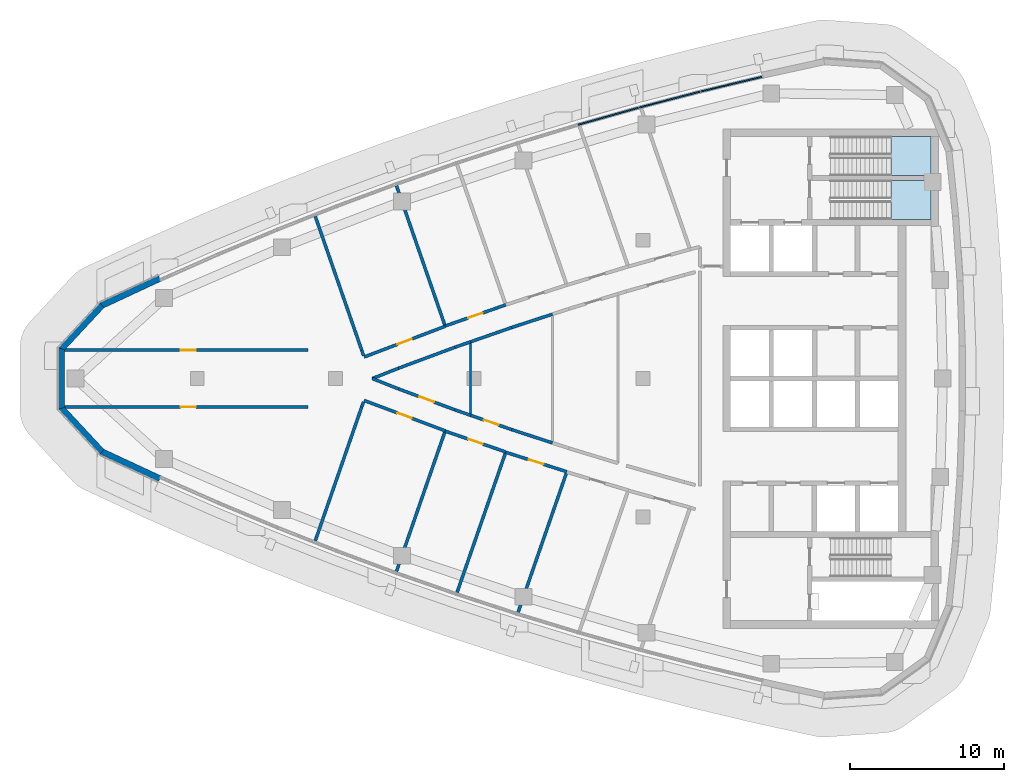
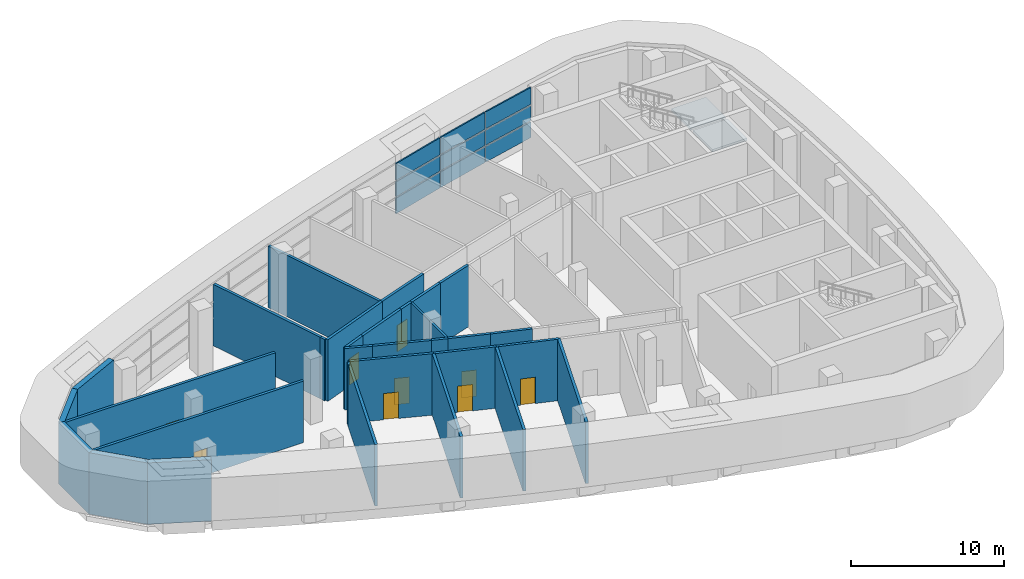
# One storey, part 7 of 14: 31 walls, 9 doors, 9 plates, 2 slabs, 9 openings, 4 elements without a shape of their own.
"""IFC4 building model written with IfcOpenShell, lengths in metres."""

from ifc_helpers import new_model, si_unit, direction, frame, frame_2d, origin, origin_2d, place, context, subcontext, project, spatial, polyline, rectangle, outline, extrude, material, layer, layer_set, type_object, element, fill, aggregate, save


model = new_model("IFC4")

# Units and contexts
model_context = context("Model", 3, precision=1e-05, world=origin(), true_north=direction((0.0, 1.0)))
body_context = subcontext(model_context, "Body", "Model", "MODEL_VIEW")
ifc_project = project(units=[si_unit("LENGTHUNIT", "METRE"), si_unit("AREAUNIT", "SQUARE_METRE"), si_unit("VOLUMEUNIT", "CUBIC_METRE"), si_unit("PLANEANGLEUNIT", "RADIAN"), si_unit("MASSUNIT", "GRAM", prefix="KILO")], contexts=[model_context])

# Site, building, storey
site_placement = place(None, origin())
site = spatial("IfcSite", under=ifc_project, at=site_placement, CompositionType="ELEMENT")
building_placement = place(site_placement, origin())
building = spatial("IfcBuilding", under=site, at=building_placement, Name="Ostrand Prow Hotel Tower", CompositionType="ELEMENT")
storey_placement = place(building_placement, frame((0.0, 0.0, 303.39990234375)))
storey = spatial("IfcBuildingStorey", under=building, at=storey_placement, Name="L77", CompositionType="ELEMENT", Elevation=303.39990234375)

# Curtain wall, plates
ifc_material_1 = material(Name="Insulated glass in bronze anodised frame", Category="glass")
ifc_layer_1 = layer(ifc_material_1, 0.199951171875)
ifc_layer_set_1 = layer_set([ifc_layer_1], Name="Insulated glass in bronze anodised frame")
curtain_wall_type = type_object("IfcCurtainWallType", Name="Plant storey louvre wall", PredefinedType="NOTDEFINED", material=ifc_layer_set_1)
curtain_wall_1_placement = place(storey_placement, origin())
curtain_wall_1 = element("IfcCurtainWall", 1, at=curtain_wall_1_placement, inside=storey, type_object=curtain_wall_type, Name="CW7 run CWN1", PredefinedType="NOTDEFINED")
ifc_material_2 = material(Name="Bronze anodised aluminium louvre", Category="aluminium")
ifc_layer_2 = layer(ifc_material_2, 0.10009765625)
ifc_layer_set_2 = layer_set([ifc_layer_2], Name="Bronze anodised aluminium louvre")
plate_type = type_object("IfcPlateType", Name="Bronze louvre panel 100 mm", PredefinedType="CURTAIN_PANEL", material=ifc_layer_set_2)
plate_1_placement = place(storey_placement, frame((50.74755859375, 19.152587890625, 0.89990234375), z_axis=(0.0, 0.0, 1.0), x_axis=(-0.972537533869, -0.232746096028, 0.0)))
plate_1 = element("IfcPlate", 2, at=plate_1_placement, type_object=plate_type, Name="CW7 PN-V panel 1.1", PredefinedType="CURTAIN_PANEL", context=body_context, shape_type="SweptSolid", body=[
    extrude(rectangle(XDim=4.079833984375, YDim=0.10009765625, at=origin_2d()), origin(), (0.0, 0.0, 1.0), 1.239990234375),
])
plate_2_placement = place(storey_placement, frame((50.74755859375, 19.152587890625, 2.26025390625), z_axis=(0.0, 0.0, 1.0), x_axis=(-0.972537533869, -0.232746096028, 0.0)))
plate_2 = element("IfcPlate", 3, at=plate_2_placement, type_object=plate_type, Name="CW7 PN-V panel 1.2", PredefinedType="CURTAIN_PANEL", context=body_context, shape_type="SweptSolid", body=[
    extrude(rectangle(XDim=4.079833984375, YDim=0.10009765625, at=origin_2d()), origin(), (0.0, 0.0, 1.0), 1.179931640625),
])
plate_3_placement = place(storey_placement, frame((50.74755859375, 19.152587890625, 3.56005859375), z_axis=(0.0, 0.0, 1.0), x_axis=(-0.972537533869, -0.232746096028, 0.0)))
plate_3 = element("IfcPlate", 4, at=plate_3_placement, type_object=plate_type, Name="CW7 PN-V panel 1.3", PredefinedType="CURTAIN_PANEL", context=body_context, shape_type="SweptSolid", body=[
    extrude(rectangle(XDim=4.079833984375, YDim=0.10009765625, at=origin_2d()), origin(), (0.0, 0.0, 1.0), 1.340087890625),
])
plate_4_placement = place(storey_placement, frame((46.731689453125, 18.148681640625, 0.89990234375), z_axis=(0.0, 0.0, 1.0), x_axis=(-0.967662519855, -0.252248384867, 0.0)))
plate_4 = element("IfcPlate", 5, at=plate_4_placement, type_object=plate_type, Name="CW7 PN-V panel 2.1", PredefinedType="CURTAIN_PANEL", context=body_context, shape_type="SweptSolid", body=[
    extrude(rectangle(XDim=4.079833984375, YDim=0.10009765625, at=origin_2d()), origin(), (0.0, 0.0, 1.0), 1.239990234375),
])
plate_5_placement = place(storey_placement, frame((46.731689453125, 18.148681640625, 2.26025390625), z_axis=(0.0, 0.0, 1.0), x_axis=(-0.967662519855, -0.252248384867, 0.0)))
plate_5 = element("IfcPlate", 6, at=plate_5_placement, type_object=plate_type, Name="CW7 PN-V panel 2.2", PredefinedType="CURTAIN_PANEL", context=body_context, shape_type="SweptSolid", body=[
    extrude(rectangle(XDim=4.079833984375, YDim=0.10009765625, at=origin_2d()), origin(), (0.0, 0.0, 1.0), 1.179931640625),
])
plate_6_placement = place(storey_placement, frame((46.731689453125, 18.148681640625, 3.56005859375), z_axis=(0.0, 0.0, 1.0), x_axis=(-0.967662519855, -0.252248384867, 0.0)))
plate_6 = element("IfcPlate", 7, at=plate_6_placement, type_object=plate_type, Name="CW7 PN-V panel 2.3", PredefinedType="CURTAIN_PANEL", context=body_context, shape_type="SweptSolid", body=[
    extrude(rectangle(XDim=4.079833984375, YDim=0.10009765625, at=origin_2d()), origin(), (0.0, 0.0, 1.0), 1.340087890625),
])
aggregate(curtain_wall_1, [plate_1, plate_2, plate_3, plate_4, plate_5, plate_6])

curtain_wall_2_placement = place(storey_placement, origin())
curtain_wall_2 = element("IfcCurtainWall", 8, at=curtain_wall_2_placement, inside=storey, type_object=curtain_wall_type, Name="CW7 run CWN2", PredefinedType="NOTDEFINED")
plate_7_placement = place(storey_placement, frame((42.736572265625, 17.064453125, 0.89990234375), z_axis=(0.0, 0.0, 1.0), x_axis=(-0.962396468548, -0.271648738865, 0.0)))
plate_7 = element("IfcPlate", 9, at=plate_7_placement, type_object=plate_type, Name="CW7 PN-V panel 1.1", PredefinedType="CURTAIN_PANEL", context=body_context, shape_type="SweptSolid", body=[
    extrude(rectangle(XDim=4.079833984375, YDim=0.10009765625, at=origin_2d()), origin(), (0.0, 0.0, 1.0), 1.239990234375),
])
plate_8_placement = place(storey_placement, frame((42.736572265625, 17.064453125, 2.26025390625), z_axis=(0.0, 0.0, 1.0), x_axis=(-0.962396468548, -0.271648738865, 0.0)))
plate_8 = element("IfcPlate", 10, at=plate_8_placement, type_object=plate_type, Name="CW7 PN-V panel 1.2", PredefinedType="CURTAIN_PANEL", context=body_context, shape_type="SweptSolid", body=[
    extrude(rectangle(XDim=4.079833984375, YDim=0.10009765625, at=origin_2d()), origin(), (0.0, 0.0, 1.0), 1.179931640625),
])
plate_9_placement = place(storey_placement, frame((42.736572265625, 17.064453125, 3.56005859375), z_axis=(0.0, 0.0, 1.0), x_axis=(-0.962396468548, -0.271648738865, 0.0)))
plate_9 = element("IfcPlate", 11, at=plate_9_placement, type_object=plate_type, Name="CW7 PN-V panel 1.3", PredefinedType="CURTAIN_PANEL", context=body_context, shape_type="SweptSolid", body=[
    extrude(rectangle(XDim=4.079833984375, YDim=0.10009765625, at=origin_2d()), origin(), (0.0, 0.0, 1.0), 1.340087890625),
])
aggregate(curtain_wall_2, [plate_7, plate_8, plate_9])

# Stair, slab
ifc_material_3 = material(Name="Concrete C40/50", Category="concrete")
stair_type = type_object("IfcStairType", Name="Exit stair 1200 upper zone", PredefinedType="HALF_TURN_STAIR", material=ifc_material_3)
stair_1_placement = place(storey_placement, origin())
stair_1 = element("IfcStair", 12, at=stair_1_placement, inside=storey, type_object=stair_type, Name="L77 ST1C", PredefinedType="HALF_TURN_STAIR")
ifc_material_4 = material(Name="Concrete C40/50", Category="concrete")
ifc_layer_3 = layer(ifc_material_4, 0.199951171875)
ifc_layer_set_3 = layer_set([ifc_layer_3], Name="Concrete C40/50")
slab_type = type_object("IfcSlabType", Name="Stair landing 200 concrete", PredefinedType="LANDING", material=ifc_layer_set_3)
slab_1_placement = place(storey_placement, frame((0.0, 0.0, 2.400146484375)))
slab_1 = element("IfcSlab", 13, at=slab_1_placement, type_object=slab_type, Name="ST1C landing 1", PredefinedType="LANDING", context=body_context, shape_type="SweptSolid", body=[
    extrude(outline(polyline([(61.1201171875, 10.35009765625), (63.719970703125, 10.35009765625), (63.719970703125, 12.89990234375), (61.1201171875, 12.89990234375), (61.1201171875, 10.35009765625)])), origin(), (0.0, 0.0, 1.0), 0.199951171875),
])
aggregate(stair_1, [slab_1])

stair_2_placement = place(storey_placement, origin())
stair_2 = element("IfcStair", 14, at=stair_2_placement, inside=storey, type_object=stair_type, Name="L77 ST3C", PredefinedType="HALF_TURN_STAIR")
slab_2_placement = place(storey_placement, frame((0.0, 0.0, 2.400146484375)))
slab_2 = element("IfcSlab", 15, at=slab_2_placement, type_object=slab_type, Name="ST3C landing 1", PredefinedType="LANDING", context=body_context, shape_type="SweptSolid", body=[
    extrude(outline(polyline([(61.1201171875, 13.199951171875), (63.719970703125, 13.199951171875), (63.719970703125, 15.75), (61.1201171875, 15.75), (61.1201171875, 13.199951171875)])), origin(), (0.0, 0.0, 1.0), 0.199951171875),
])
aggregate(stair_2, [slab_2])

# Wall
ifc_material_5 = material(Name="Plasterboard partition")
ifc_layer_4 = layer(ifc_material_5, 0.14990234375)
ifc_layer_set_4 = layer_set([ifc_layer_4], Name="Plasterboard partition")
wall_type_1 = type_object("IfcWallType", Name="Partition 150 room partition", PredefinedType="PARTITIONING", material=ifc_layer_set_4)
wall_1_placement = place(storey_placement, frame((33.77978515625, -2.390380859375, 0.0), z_axis=(0.0, 0.0, 1.0), x_axis=(0.0, 1.0, 0.0)))
element("IfcWall", 16, at=wall_1_placement, inside=storey, type_object=wall_type_1, Name="ROOM PARTITION", PredefinedType="PARTITIONING", context=body_context, shape_type="SweptSolid", body=[
    extrude(rectangle(XDim=4.78076171875, YDim=0.14990234375, at=frame_2d((2.390380859375, 0.0))), origin(), (0.0, 0.0, 1.0), 4.900146484375),
])

# Wall, opening, door
ifc_material_6 = material(Name="Plasterboard partition")
ifc_layer_5 = layer(ifc_material_6, 0.199951171875)
ifc_layer_set_5 = layer_set([ifc_layer_5], Name="Plasterboard partition")
wall_type_2 = type_object("IfcWallType", Name="Partition 200 corridor wall", PredefinedType="PARTITIONING", material=ifc_layer_set_5)
wall_2_placement = place(storey_placement, frame((7.287109375, 1.85009765625, 0.0), z_axis=(0.0, 0.0, 1.0), x_axis=(1.0, 0.0, 0.0)))
wall_2 = element("IfcWall", 17, at=wall_2_placement, inside=storey, type_object=wall_type_2, Name="CORRIDOR WALL", PredefinedType="PARTITIONING", context=body_context, shape_type="SweptSolid", body=[
    extrude(rectangle(XDim=15.898681640625, YDim=0.199951171875, at=frame_2d((7.94921875, 0.0))), origin(), (0.0, 0.0, 1.0), 4.900146484375),
])
opening_1_placement = place(wall_2_placement, frame((7.6240234375, 0.0, 0.0)))
opening_1 = element("IfcOpeningElement", 18, at=opening_1_placement, cuts=wall_2, Name="Opening D1", PredefinedType="OPENING", context=body_context, shape_type="SweptSolid", body=[
    extrude(rectangle(XDim=1.0, YDim=2.10009765625, at=frame_2d((0.5, 1.050048828125))), frame((0.0, 0.10986328125, 0.0), z_axis=(0.0, -1.0, 0.0), x_axis=(1.0, 0.0, 0.0)), (0.0, 0.0, 1.0), 0.219970703125),
])
ifc_material_7 = material(Name="Timber door leaf", Category="wood")
door_type_1 = type_object("IfcDoorType", Name="Guest room door 1000", OperationType="SINGLE_SWING_LEFT", PredefinedType="DOOR", material=ifc_material_7)
door_1_placement = place(opening_1_placement, origin())
door_1 = element("IfcDoor", 19, at=door_1_placement, inside=storey, type_object=door_type_1, Name="DOOR", OperationType="SINGLE_SWING_LEFT", OverallHeight=2.10009765625, OverallWidth=1.0, PredefinedType="DOOR", context=body_context, shape_type="SweptSolid", body=[
    extrude(rectangle(XDim=1.0, YDim=2.10009765625, at=frame_2d((0.5, 1.050048828125))), frame((0.0, 0.02490234375, 0.0), z_axis=(0.0, -1.0, 0.0), x_axis=(1.0, 0.0, 0.0)), (0.0, 0.0, 1.0), 0.050048828125),
])
fill(opening_1, door_1)

wall_3_placement = place(storey_placement, frame((7.287109375, -1.85009765625, 0.0), z_axis=(0.0, 0.0, 1.0), x_axis=(1.0, 0.0, 0.0)))
wall_3 = element("IfcWall", 20, at=wall_3_placement, inside=storey, type_object=wall_type_2, Name="CORRIDOR WALL", PredefinedType="PARTITIONING", context=body_context, shape_type="SweptSolid", body=[
    extrude(rectangle(XDim=15.898681640625, YDim=0.199951171875, at=frame_2d((7.94921875, 0.0))), origin(), (0.0, 0.0, 1.0), 4.900146484375),
])
opening_2_placement = place(wall_3_placement, frame((7.6240234375, 0.0, 0.0)))
opening_2 = element("IfcOpeningElement", 21, at=opening_2_placement, cuts=wall_3, Name="Opening D1R", PredefinedType="OPENING", context=body_context, shape_type="SweptSolid", body=[
    extrude(rectangle(XDim=1.0, YDim=2.10009765625, at=frame_2d((0.5, 1.050048828125))), frame((0.0, 0.10986328125, 0.0), z_axis=(0.0, -1.0, 0.0), x_axis=(1.0, 0.0, 0.0)), (0.0, 0.0, 1.0), 0.219970703125),
])
ifc_material_8 = material(Name="Timber door leaf", Category="wood")
door_type_2 = type_object("IfcDoorType", Name="Guest room door 1000 right", OperationType="SINGLE_SWING_RIGHT", PredefinedType="DOOR", material=ifc_material_8)
door_2_placement = place(opening_2_placement, origin())
door_2 = element("IfcDoor", 22, at=door_2_placement, inside=storey, type_object=door_type_2, Name="DOOR", OperationType="SINGLE_SWING_RIGHT", OverallHeight=2.10009765625, OverallWidth=1.0, PredefinedType="DOOR", context=body_context, shape_type="SweptSolid", body=[
    extrude(rectangle(XDim=1.0, YDim=2.10009765625, at=frame_2d((0.5, 1.050048828125))), frame((0.0, 0.02490234375, 0.0), z_axis=(0.0, -1.0, 0.0), x_axis=(1.0, 0.0, 0.0)), (0.0, 0.0, 1.0), 0.050048828125),
])
fill(opening_2, door_2)

wall_4_placement = place(storey_placement, frame((26.85009765625, 1.4013671875, 0.0), z_axis=(0.0, 0.0, 1.0), x_axis=(0.935181367748, 0.354169181912, 0.0)))
wall_4 = element("IfcWall", 23, at=wall_4_placement, inside=storey, type_object=wall_type_2, Name="CORRIDOR WALL", PredefinedType="PARTITIONING", context=body_context, shape_type="SweptSolid", body=[
    extrude(rectangle(XDim=5.64501953125, YDim=0.199951171875, at=frame_2d((2.822509765625, 0.0))), origin(), (0.0, 0.0, 1.0), 4.900146484375),
])
opening_3_placement = place(wall_4_placement, frame((2.322509765625, 0.0, 0.0)))
opening_3 = element("IfcOpeningElement", 24, at=opening_3_placement, cuts=wall_4, Name="Opening D1", PredefinedType="OPENING", context=body_context, shape_type="SweptSolid", body=[
    extrude(rectangle(XDim=1.0, YDim=2.10009765625, at=frame_2d((0.5, 1.050048828125))), frame((0.0, 0.10986328125, 0.0), z_axis=(0.0, -1.0, 0.0), x_axis=(1.0, 0.0, 0.0)), (0.0, 0.0, 1.0), 0.219970703125),
])
door_3_placement = place(opening_3_placement, origin())
door_3 = element("IfcDoor", 25, at=door_3_placement, inside=storey, type_object=door_type_1, Name="DOOR", OperationType="SINGLE_SWING_LEFT", OverallHeight=2.10009765625, OverallWidth=1.0, PredefinedType="DOOR", context=body_context, shape_type="SweptSolid", body=[
    extrude(rectangle(XDim=1.0, YDim=2.10009765625, at=frame_2d((0.5, 1.050048828125))), frame((0.0, 0.02490234375, 0.0), z_axis=(0.0, -1.0, 0.0), x_axis=(1.0, 0.0, 0.0)), (0.0, 0.0, 1.0), 0.050048828125),
])
fill(opening_3, door_3)

wall_5_placement = place(storey_placement, frame((36.064208984375, 4.794189453125, 0.0), z_axis=(0.0, 0.0, 1.0), x_axis=(-0.944236129554, -0.329269086986, 0.0)))
wall_5 = element("IfcWall", 26, at=wall_5_placement, inside=storey, type_object=wall_type_2, Name="CORRIDOR WALL", PredefinedType="PARTITIONING", context=body_context, shape_type="SweptSolid", body=[
    extrude(rectangle(XDim=4.17431640625, YDim=0.199951171875, at=frame_2d((2.087158203125, 0.0))), origin(), (0.0, 0.0, 1.0), 4.900146484375),
])
opening_4_placement = place(wall_5_placement, frame((1.587158203125, 0.0, 0.0)))
opening_4 = element("IfcOpeningElement", 27, at=opening_4_placement, cuts=wall_5, Name="Opening D1R", PredefinedType="OPENING", context=body_context, shape_type="SweptSolid", body=[
    extrude(rectangle(XDim=1.0, YDim=2.10009765625, at=frame_2d((0.5, 1.050048828125))), frame((0.0, 0.10986328125, 0.0), z_axis=(0.0, -1.0, 0.0), x_axis=(1.0, 0.0, 0.0)), (0.0, 0.0, 1.0), 0.219970703125),
])
door_4_placement = place(opening_4_placement, origin())
door_4 = element("IfcDoor", 28, at=door_4_placement, inside=storey, type_object=door_type_2, Name="DOOR", OperationType="SINGLE_SWING_RIGHT", OverallHeight=2.10009765625, OverallWidth=1.0, PredefinedType="DOOR", context=body_context, shape_type="SweptSolid", body=[
    extrude(rectangle(XDim=1.0, YDim=2.10009765625, at=frame_2d((0.5, 1.050048828125))), frame((0.0, 0.02490234375, 0.0), z_axis=(0.0, -1.0, 0.0), x_axis=(1.0, 0.0, 0.0)), (0.0, 0.0, 1.0), 0.050048828125),
])
fill(opening_4, door_4)

wall_6_placement = place(storey_placement, frame((26.85009765625, -1.4228515625, 0.0), z_axis=(0.0, 0.0, 1.0), x_axis=(0.936437698145, -0.350833917249, 0.0)))
wall_6 = element("IfcWall", 29, at=wall_6_placement, inside=storey, type_object=wall_type_2, Name="CORRIDOR WALL", PredefinedType="PARTITIONING", context=body_context, shape_type="SweptSolid", body=[
    extrude(rectangle(XDim=5.637451171875, YDim=0.199951171875, at=frame_2d((2.81884765625, 0.0))), origin(), (0.0, 0.0, 1.0), 4.900146484375),
])
opening_5_placement = place(wall_6_placement, frame((2.31884765625, 0.0, 0.0)))
opening_5 = element("IfcOpeningElement", 30, at=opening_5_placement, cuts=wall_6, Name="Opening D1", PredefinedType="OPENING", context=body_context, shape_type="SweptSolid", body=[
    extrude(rectangle(XDim=1.0, YDim=2.10009765625, at=frame_2d((0.5, 1.050048828125))), frame((0.0, 0.10986328125, 0.0), z_axis=(0.0, -1.0, 0.0), x_axis=(1.0, 0.0, 0.0)), (0.0, 0.0, 1.0), 0.219970703125),
])
door_5_placement = place(opening_5_placement, origin())
door_5 = element("IfcDoor", 31, at=door_5_placement, inside=storey, type_object=door_type_1, Name="DOOR", OperationType="SINGLE_SWING_LEFT", OverallHeight=2.10009765625, OverallWidth=1.0, PredefinedType="DOOR", context=body_context, shape_type="SweptSolid", body=[
    extrude(rectangle(XDim=1.0, YDim=2.10009765625, at=frame_2d((0.5, 1.050048828125))), frame((0.0, 0.02490234375, 0.0), z_axis=(0.0, -1.0, 0.0), x_axis=(1.0, 0.0, 0.0)), (0.0, 0.0, 1.0), 0.050048828125),
])
fill(opening_5, door_5)

wall_7_placement = place(storey_placement, frame((32.12255859375, -3.419677734375, 0.0), z_axis=(0.0, 0.0, 1.0), x_axis=(0.945796667861, -0.32475939257, 0.0)))
wall_7 = element("IfcWall", 32, at=wall_7_placement, inside=storey, type_object=wall_type_2, Name="CORRIDOR WALL", PredefinedType="PARTITIONING", context=body_context, shape_type="SweptSolid", body=[
    extrude(rectangle(XDim=4.174560546875, YDim=0.199951171875, at=frame_2d((2.08740234375, 0.0))), origin(), (0.0, 0.0, 1.0), 4.900146484375),
])
opening_6_placement = place(wall_7_placement, frame((1.587158203125, 0.0, 0.0)))
opening_6 = element("IfcOpeningElement", 33, at=opening_6_placement, cuts=wall_7, Name="Opening D1R", PredefinedType="OPENING", context=body_context, shape_type="SweptSolid", body=[
    extrude(rectangle(XDim=1.0, YDim=2.10009765625, at=frame_2d((0.5, 1.050048828125))), frame((0.0, 0.10986328125, 0.0), z_axis=(0.0, -1.0, 0.0), x_axis=(1.0, 0.0, 0.0)), (0.0, 0.0, 1.0), 0.219970703125),
])
door_6_placement = place(opening_6_placement, origin())
door_6 = element("IfcDoor", 34, at=door_6_placement, inside=storey, type_object=door_type_2, Name="DOOR", OperationType="SINGLE_SWING_RIGHT", OverallHeight=2.10009765625, OverallWidth=1.0, PredefinedType="DOOR", context=body_context, shape_type="SweptSolid", body=[
    extrude(rectangle(XDim=1.0, YDim=2.10009765625, at=frame_2d((0.5, 1.050048828125))), frame((0.0, 0.02490234375, 0.0), z_axis=(0.0, -1.0, 0.0), x_axis=(1.0, 0.0, 0.0)), (0.0, 0.0, 1.0), 0.050048828125),
])
fill(opening_6, door_6)

wall_8_placement = place(storey_placement, frame((36.064208984375, -4.794189453125, 0.0), z_axis=(0.0, 0.0, 1.0), x_axis=(0.952657409527, -0.304045819035, 0.0)))
wall_8 = element("IfcWall", 35, at=wall_8_placement, inside=storey, type_object=wall_type_2, Name="CORRIDOR WALL", PredefinedType="PARTITIONING", context=body_context, shape_type="SweptSolid", body=[
    extrude(rectangle(XDim=4.175537109375, YDim=0.199951171875, at=frame_2d((2.087890625, 0.0))), origin(), (0.0, 0.0, 1.0), 4.900146484375),
])
opening_7_placement = place(wall_8_placement, frame((1.587890625, 0.0, 0.0)))
opening_7 = element("IfcOpeningElement", 36, at=opening_7_placement, cuts=wall_8, Name="Opening D1", PredefinedType="OPENING", context=body_context, shape_type="SweptSolid", body=[
    extrude(rectangle(XDim=1.0, YDim=2.10009765625, at=frame_2d((0.5, 1.050048828125))), frame((0.0, 0.10986328125, 0.0), z_axis=(0.0, -1.0, 0.0), x_axis=(1.0, 0.0, 0.0)), (0.0, 0.0, 1.0), 0.219970703125),
])
door_7_placement = place(opening_7_placement, origin())
door_7 = element("IfcDoor", 37, at=door_7_placement, inside=storey, type_object=door_type_1, Name="DOOR", OperationType="SINGLE_SWING_LEFT", OverallHeight=2.10009765625, OverallWidth=1.0, PredefinedType="DOOR", context=body_context, shape_type="SweptSolid", body=[
    extrude(rectangle(XDim=1.0, YDim=2.10009765625, at=frame_2d((0.5, 1.050048828125))), frame((0.0, 0.02490234375, 0.0), z_axis=(0.0, -1.0, 0.0), x_axis=(1.0, 0.0, 0.0)), (0.0, 0.0, 1.0), 0.050048828125),
])
fill(opening_7, door_7)

wall_9_placement = place(storey_placement, frame((32.759765625, -2.034912109375, 0.0), z_axis=(0.0, 0.0, 1.0), x_axis=(-0.937460178932, 0.348092534992, 0.0)))
wall_9 = element("IfcWall", 38, at=wall_9_placement, inside=storey, type_object=wall_type_2, Name="CORRIDOR WALL", PredefinedType="PARTITIONING", context=body_context, shape_type="SweptSolid", body=[
    extrude(rectangle(XDim=3.912841796875, YDim=0.199951171875, at=frame_2d((1.95654296875, 0.0))), origin(), (0.0, 0.0, 1.0), 4.900146484375),
])
opening_8_placement = place(wall_9_placement, frame((1.45654296875, 0.0, 0.0)))
opening_8 = element("IfcOpeningElement", 39, at=opening_8_placement, cuts=wall_9, Name="Opening D1", PredefinedType="OPENING", context=body_context, shape_type="SweptSolid", body=[
    extrude(rectangle(XDim=1.0, YDim=2.10009765625, at=frame_2d((0.5, 1.050048828125))), frame((0.0, 0.10986328125, 0.0), z_axis=(0.0, -1.0, 0.0), x_axis=(1.0, 0.0, 0.0)), (0.0, 0.0, 1.0), 0.219970703125),
])
door_8_placement = place(opening_8_placement, origin())
door_8 = element("IfcDoor", 40, at=door_8_placement, inside=storey, type_object=door_type_1, Name="DOOR", OperationType="SINGLE_SWING_LEFT", OverallHeight=2.10009765625, OverallWidth=1.0, PredefinedType="DOOR", context=body_context, shape_type="SweptSolid", body=[
    extrude(rectangle(XDim=1.0, YDim=2.10009765625, at=frame_2d((0.5, 1.050048828125))), frame((0.0, 0.02490234375, 0.0), z_axis=(0.0, -1.0, 0.0), x_axis=(1.0, 0.0, 0.0)), (0.0, 0.0, 1.0), 0.050048828125),
])
fill(opening_8, door_8)

# Walls
for number, where, z_axis, x_axis, name in (
    (41, (29.091552734375, -0.6728515625, 0.0), (0.0, 0.0, 1.0), (-0.930265251482, 0.366887669302, 0.0), "CORRIDOR WALL"),
    (42, (27.385498046875, 0.0, 0.0), (0.0, 0.0, 1.0), (0.930265251482, 0.366887669302, 0.0), "CORRIDOR WALL"),
):
    element("IfcWall", number, at=place(storey_placement, frame(where, z_axis=z_axis, x_axis=x_axis)), inside=storey, type_object=wall_type_2, Name=name, PredefinedType="PARTITIONING", context=body_context, shape_type="SweptSolid", body=[
        extrude(rectangle(XDim=1.833984375, YDim=0.199951171875, at=frame_2d((0.9169921875, 0.0))), origin(), (0.0, 0.0, 1.0), 4.900146484375),
    ])
wall_10_placement = place(storey_placement, frame((29.091552734375, 0.6728515625, 0.0), z_axis=(0.0, 0.0, 1.0), x_axis=(0.937460178932, 0.348092534992, 0.0)))
element("IfcWall", 43, at=wall_10_placement, inside=storey, type_object=wall_type_2, Name="CORRIDOR WALL", PredefinedType="PARTITIONING", context=body_context, shape_type="SweptSolid", body=[
    extrude(rectangle(XDim=3.912841796875, YDim=0.199951171875, at=frame_2d((1.95654296875, 0.0))), origin(), (0.0, 0.0, 1.0), 4.900146484375),
])
for number, where, z_axis, x_axis, name in (
    (44, (32.759765625, 2.034912109375, 0.0), (0.0, 0.0, 1.0), (0.944301485039, 0.329081608956, 0.0), "CORRIDOR WALL"),
    (45, (33.77978515625, -2.390380859375, 0.0), (0.0, 0.0, 1.0), (-0.944301485039, 0.329081608956, 0.0), "CORRIDOR WALL"),
):
    element("IfcWall", number, at=place(storey_placement, frame(where, z_axis=z_axis, x_axis=x_axis)), inside=storey, type_object=wall_type_2, Name=name, PredefinedType="PARTITIONING", context=body_context, shape_type="SweptSolid", body=[
        extrude(rectangle(XDim=1.080078125, YDim=0.199951171875, at=frame_2d((0.5400390625, 0.0))), origin(), (0.0, 0.0, 1.0), 4.900146484375),
    ])

# Wall, opening, door
wall_11_placement = place(storey_placement, frame((36.45458984375, -3.32275390625, 0.0), z_axis=(0.0, 0.0, 1.0), x_axis=(-0.944276827535, 0.329152355272, 0.0)))
wall_11 = element("IfcWall", 46, at=wall_11_placement, inside=storey, type_object=wall_type_2, Name="CORRIDOR WALL", PredefinedType="PARTITIONING", context=body_context, shape_type="SweptSolid", body=[
    extrude(rectangle(XDim=2.832763671875, YDim=0.199951171875, at=frame_2d((1.41650390625, 0.0))), origin(), (0.0, 0.0, 1.0), 4.900146484375),
])
opening_9_placement = place(wall_11_placement, frame((0.91650390625, 0.0, 0.0)))
opening_9 = element("IfcOpeningElement", 47, at=opening_9_placement, cuts=wall_11, Name="Opening D1R", PredefinedType="OPENING", context=body_context, shape_type="SweptSolid", body=[
    extrude(rectangle(XDim=1.0, YDim=2.10009765625, at=frame_2d((0.5, 1.050048828125))), frame((0.0, 0.10986328125, 0.0), z_axis=(0.0, -1.0, 0.0), x_axis=(1.0, 0.0, 0.0)), (0.0, 0.0, 1.0), 0.219970703125),
])
door_9_placement = place(opening_9_placement, origin())
door_9 = element("IfcDoor", 48, at=door_9_placement, inside=storey, type_object=door_type_2, Name="DOOR", OperationType="SINGLE_SWING_RIGHT", OverallHeight=2.10009765625, OverallWidth=1.0, PredefinedType="DOOR", context=body_context, shape_type="SweptSolid", body=[
    extrude(rectangle(XDim=1.0, YDim=2.10009765625, at=frame_2d((0.5, 1.050048828125))), frame((0.0, 0.02490234375, 0.0), z_axis=(0.0, -1.0, 0.0), x_axis=(1.0, 0.0, 0.0)), (0.0, 0.0, 1.0), 0.050048828125),
])
fill(opening_9, door_9)

# Walls
wall_12_placement = place(storey_placement, frame((39.1083984375, -4.1884765625, 0.0), z_axis=(0.0, 0.0, 1.0), x_axis=(-0.950692846111, 0.310134023212, 0.0)))
element("IfcWall", 49, at=wall_12_placement, inside=storey, type_object=wall_type_2, Name="CORRIDOR WALL", PredefinedType="PARTITIONING", context=body_context, shape_type="SweptSolid", body=[
    extrude(rectangle(XDim=2.79150390625, YDim=0.199951171875, at=frame_2d((1.395751953125, 0.0))), origin(), (0.0, 0.0, 1.0), 4.900146484375),
])
wall_13_placement = place(storey_placement, frame((33.77978515625, 2.390380859375, 0.0), z_axis=(0.0, 0.0, 1.0), x_axis=(0.944276827535, 0.329152355272, 0.0)))
element("IfcWall", 50, at=wall_13_placement, inside=storey, type_object=wall_type_2, Name="CORRIDOR WALL", PredefinedType="PARTITIONING", context=body_context, shape_type="SweptSolid", body=[
    extrude(rectangle(XDim=2.832763671875, YDim=0.199951171875, at=frame_2d((1.41650390625, 0.0))), origin(), (0.0, 0.0, 1.0), 4.900146484375),
])
wall_14_placement = place(storey_placement, frame((36.45458984375, 3.32275390625, 0.0), z_axis=(0.0, 0.0, 1.0), x_axis=(0.950692846111, 0.310134023212, 0.0)))
element("IfcWall", 51, at=wall_14_placement, inside=storey, type_object=wall_type_2, Name="CORRIDOR WALL", PredefinedType="PARTITIONING", context=body_context, shape_type="SweptSolid", body=[
    extrude(rectangle(XDim=2.79150390625, YDim=0.199951171875, at=frame_2d((1.395751953125, 0.0))), origin(), (0.0, 0.0, 1.0), 4.900146484375),
])
wall_15_placement = place(storey_placement, frame((26.817138671875, 1.495849609375, 0.0), z_axis=(0.0, 0.0, 1.0), x_axis=(-0.327535464747, 0.944838885384, 0.0)))
element("IfcWall", 52, at=wall_15_placement, inside=storey, type_object=wall_type_2, Name="CORRIDOR WALL", PredefinedType="PARTITIONING", context=body_context, shape_type="SweptSolid", body=[
    extrude(rectangle(XDim=0.375, YDim=0.199951171875, at=frame_2d((0.1875, 0.0))), origin(), (0.0, 0.0, 1.0), 4.900146484375),
])
wall_16_placement = place(storey_placement, frame((26.6943359375, -1.85009765625, 0.0), z_axis=(0.0, 0.0, 1.0), x_axis=(0.342737536943, 0.939431200658, 0.0)))
element("IfcWall", 53, at=wall_16_placement, inside=storey, type_object=wall_type_2, Name="CORRIDOR WALL", PredefinedType="PARTITIONING", context=body_context, shape_type="SweptSolid", body=[
    extrude(rectangle(XDim=0.354736328125, YDim=0.199951171875, at=frame_2d((0.17724609375, 0.0))), origin(), (0.0, 0.0, 1.0), 4.900146484375),
])
ifc_material_9 = material(Name="Plasterboard partition")
ifc_layer_6 = layer(ifc_material_9, 0.199951171875)
ifc_layer_set_6 = layer_set([ifc_layer_6], Name="Plasterboard partition")
wall_type_3 = type_object("IfcWallType", Name="Partition 200 key partition", PredefinedType="PARTITIONING", material=ifc_layer_set_6)
wall_17_placement = place(storey_placement, frame((26.6943359375, 1.85009765625, 0.0), z_axis=(0.0, 0.0, 1.0), x_axis=(-0.327714422317, 0.944776829418, 0.0)))
element("IfcWall", 54, at=wall_17_placement, inside=storey, type_object=wall_type_3, Name="KEY PARTITION", PredefinedType="PARTITIONING", context=body_context, shape_type="SweptSolid", body=[
    extrude(rectangle(XDim=9.2333984375, YDim=0.199951171875, at=frame_2d((4.61669921875, 0.0))), origin(), (0.0, 0.0, 1.0), 4.900146484375),
])
wall_18_placement = place(storey_placement, frame((32.129150390625, 3.400634765625, 0.0), z_axis=(0.0, 0.0, 1.0), x_axis=(-0.327724115377, 0.944773467134, 0.0)))
element("IfcWall", 55, at=wall_18_placement, inside=storey, type_object=wall_type_3, Name="KEY PARTITION", PredefinedType="PARTITIONING", context=body_context, shape_type="SweptSolid", body=[
    extrude(rectangle(XDim=9.702392578125, YDim=0.199951171875, at=frame_2d((4.85107421875, 0.0))), origin(), (0.0, 0.0, 1.0), 4.900146484375),
])
wall_19_placement = place(storey_placement, frame((23.66845703125, -10.573486328125, 0.0), z_axis=(0.0, 0.0, 1.0), x_axis=(0.327714422317, 0.944776829418, 0.0)))
element("IfcWall", 56, at=wall_19_placement, inside=storey, type_object=wall_type_3, Name="KEY PARTITION", PredefinedType="PARTITIONING", context=body_context, shape_type="SweptSolid", body=[
    extrude(rectangle(XDim=9.2333984375, YDim=0.199951171875, at=frame_2d((4.61669921875, 0.0))), origin(), (0.0, 0.0, 1.0), 4.900146484375),
])
wall_20_placement = place(storey_placement, frame((28.949462890625, -12.567138671875, 0.0), z_axis=(0.0, 0.0, 1.0), x_axis=(0.327724115377, 0.944773467134, 0.0)))
element("IfcWall", 57, at=wall_20_placement, inside=storey, type_object=wall_type_3, Name="KEY PARTITION", PredefinedType="PARTITIONING", context=body_context, shape_type="SweptSolid", body=[
    extrude(rectangle(XDim=9.702392578125, YDim=0.199951171875, at=frame_2d((4.85107421875, 0.0))), origin(), (0.0, 0.0, 1.0), 4.900146484375),
])
wall_21_placement = place(storey_placement, frame((32.891357421875, -13.941162109375, 0.0), z_axis=(0.0, 0.0, 1.0), x_axis=(0.327725028322, 0.94477315045, 0.0)))
element("IfcWall", 58, at=wall_21_placement, inside=storey, type_object=wall_type_3, Name="KEY PARTITION", PredefinedType="PARTITIONING", context=body_context, shape_type="SweptSolid", body=[
    extrude(rectangle(XDim=9.70166015625, YDim=0.199951171875, at=frame_2d((4.850830078125, 0.0))), origin(), (0.0, 0.0, 1.0), 4.900146484375),
])
wall_22_placement = place(storey_placement, frame((36.86083984375, -15.23486328125, 0.0), z_axis=(0.0, 0.0, 1.0), x_axis=(0.327710853631, 0.944778067279, 0.0)))
element("IfcWall", 59, at=wall_22_placement, inside=storey, type_object=wall_type_3, Name="KEY PARTITION", PredefinedType="PARTITIONING", context=body_context, shape_type="SweptSolid", body=[
    extrude(rectangle(XDim=9.707275390625, YDim=0.199951171875, at=frame_2d((4.853515625, 0.0))), origin(), (0.0, 0.0, 1.0), 4.900146484375),
])
ifc_material_10 = material(Name="Precast concrete C40/50", Category="concrete")
ifc_layer_7 = layer(ifc_material_10, 0.39990234375)
ifc_layer_set_7 = layer_set([ifc_layer_7], Name="Precast concrete C40/50")
wall_type_4 = type_object("IfcWallType", Name="Stone-faced precast wall 400 mm", PredefinedType="NOTDEFINED", material=ifc_layer_set_7)
wall_23_placement = place(storey_placement, frame((13.55859375, 6.5146484375, 0.0), z_axis=(0.0, 0.0, 1.0), x_axis=(-0.906485602396, -0.42223672584, 0.0)))
element("IfcWall", 60, at=wall_23_placement, inside=storey, type_object=wall_type_4, Name="Stone-faced wall prow 1", PredefinedType="NOTDEFINED", context=body_context, shape_type="SweptSolid", body=[
    extrude(outline(polyline([(0.0, -0.199951171875), (4.1806640625, -0.199951171875), (4.1025390625, 0.199951171875), (0.0, 0.199951171875), (0.0, -0.199951171875)])), origin(), (0.0, 0.0, 1.0), 4.900146484375),
])
wall_24_placement = place(storey_placement, frame((9.80419921875, 4.765869140625, 0.0), z_axis=(0.0, 0.0, 1.0), x_axis=(-0.6815467277, -0.73177459505, 0.0)))
element("IfcWall", 61, at=wall_24_placement, inside=storey, type_object=wall_type_4, Name="Stone-faced wall prow 2", PredefinedType="NOTDEFINED", context=body_context, shape_type="SweptSolid", body=[
    extrude(outline(polyline([(-0.0390625, -0.199951171875), (3.94775390625, -0.199951171875), (3.79052734375, 0.199951171875), (0.0390625, 0.199951171875), (-0.0390625, -0.199951171875)])), origin(), (0.0, 0.0, 1.0), 4.900146484375),
])
wall_25_placement = place(storey_placement, frame((7.167236328125, 1.9345703125, 0.0), z_axis=(0.0, 0.0, 1.0), x_axis=(0.0, -1.0, 0.0)))
element("IfcWall", 62, at=wall_25_placement, inside=storey, type_object=wall_type_4, Name="Stone-faced wall prow 3", PredefinedType="NOTDEFINED", context=body_context, shape_type="SweptSolid", body=[
    extrude(outline(polyline([(-0.07861328125, -0.199951171875), (3.94775390625, -0.199951171875), (3.79052734375, 0.199951171875), (0.07861328125, 0.199951171875), (-0.07861328125, -0.199951171875)])), origin(), (0.0, 0.0, 1.0), 4.900146484375),
])
wall_26_placement = place(storey_placement, frame((7.167236328125, -1.9345703125, 0.0), z_axis=(0.0, 0.0, 1.0), x_axis=(0.6815467277, -0.73177459505, 0.0)))
element("IfcWall", 63, at=wall_26_placement, inside=storey, type_object=wall_type_4, Name="Stone-faced wall prow 4", PredefinedType="NOTDEFINED", context=body_context, shape_type="SweptSolid", body=[
    extrude(outline(polyline([(-0.07861328125, -0.199951171875), (3.908203125, -0.199951171875), (3.830078125, 0.199951171875), (0.07861328125, 0.199951171875), (-0.07861328125, -0.199951171875)])), origin(), (0.0, 0.0, 1.0), 4.900146484375),
])
wall_27_placement = place(storey_placement, frame((9.80419921875, -4.765869140625, 0.0), z_axis=(0.0, 0.0, 1.0), x_axis=(0.906485602396, -0.42223672584, 0.0)))
element("IfcWall", 64, at=wall_27_placement, inside=storey, type_object=wall_type_4, Name="Stone-faced wall prow 5", PredefinedType="NOTDEFINED", context=body_context, shape_type="SweptSolid", body=[
    extrude(outline(polyline([(-0.0390625, -0.199951171875), (4.1416015625, -0.199951171875), (4.1416015625, 0.199951171875), (0.0390625, 0.199951171875), (-0.0390625, -0.199951171875)])), origin(), (0.0, 0.0, 1.0), 4.900146484375),
])

save(model, "model.ifc")
